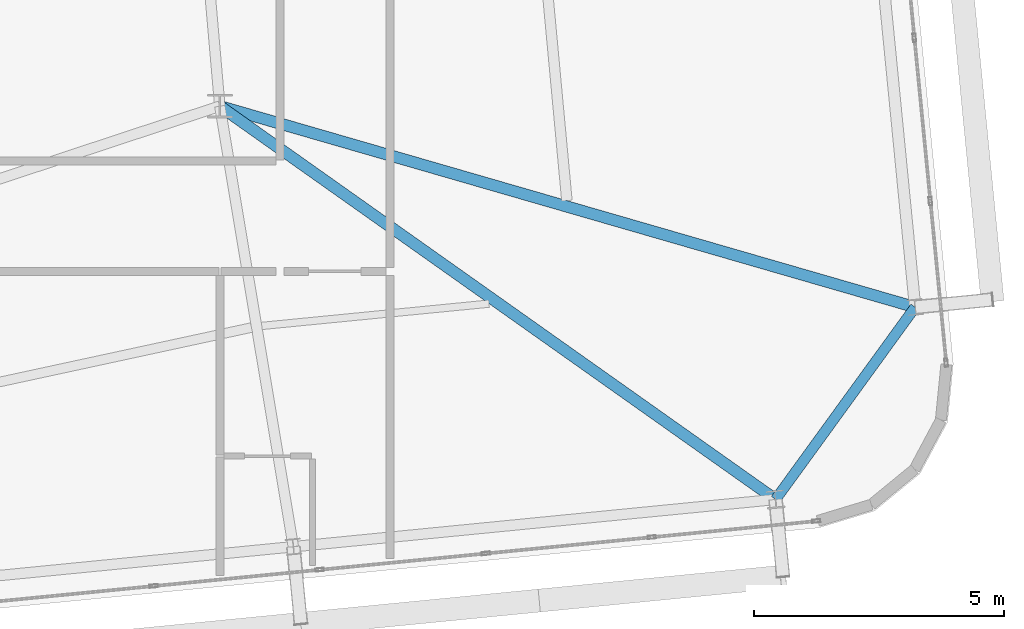
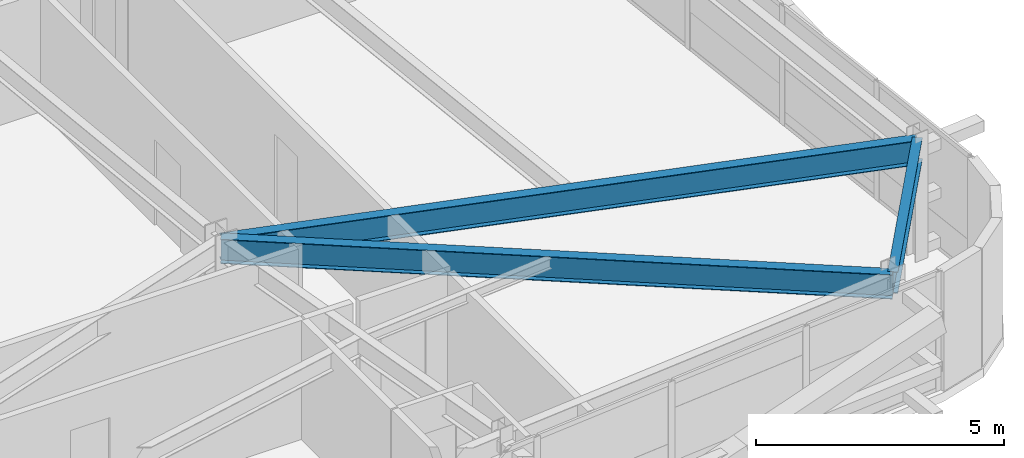
# One storey, part 21 of 53: 3 beams.
"""IFC4 building model written with IfcOpenShell, lengths in metres."""

from ifc_helpers import new_model, si_unit, direction, frame, origin, origin_2d, place, context, subcontext, project, spatial, i_section, extrude, source, transform, mapped, material, material_profile, profile_set, type_object, element, save


model = new_model("IFC4")

# Units and contexts
model_context = context("Model", 3, precision=1e-05, world=origin(), true_north=direction((0.0, 1.0)))
body_context = subcontext(model_context, "Body", "Model", "MODEL_VIEW")
ifc_project = project(units=[si_unit("LENGTHUNIT", "METRE"), si_unit("AREAUNIT", "SQUARE_METRE"), si_unit("VOLUMEUNIT", "CUBIC_METRE"), si_unit("PLANEANGLEUNIT", "RADIAN"), si_unit("MASSUNIT", "GRAM", prefix="KILO")], contexts=[model_context])

# Site, building, storey
site_placement = place(None, origin())
site = spatial("IfcSite", under=ifc_project, at=site_placement, CompositionType="ELEMENT")
building_placement = place(site_placement, origin())
building = spatial("IfcBuilding", under=site, at=building_placement, Name="Taldren Reach Tower", CompositionType="ELEMENT")
storey_placement = place(building_placement, frame((0.0, 0.0, 80.85009765625)))
storey = spatial("IfcBuildingStorey", under=building, at=storey_placement, Name="L24", CompositionType="ELEMENT", Elevation=80.85009765625)

# Beams
ifc_material = material(Name="Steel Gr 350 (350PLUS)", Category="steel")
ifc_material_profile_1 = material_profile(ifc_material, i_section(OverallWidth=0.208984375, OverallDepth=0.528076171875, WebThickness=0.009521484375, FlangeThickness=0.01318359375, at=origin_2d()), Name="530UB82.0")
ifc_profile_set_1 = profile_set([ifc_material_profile_1], Name="Steel Gr 350 (350PLUS)")
beam_type_1 = type_object("IfcBeamType", Name="SP-UB530B", PredefinedType="SPANDREL", material=ifc_profile_set_1)
shared_shape_1 = source(origin(), body_context, "Body", "SweptSolid", [
    extrude(i_section(OverallWidth=0.208984375, OverallDepth=0.528076171875, WebThickness=0.009521484375, FlangeThickness=0.01318359375, at=origin_2d()), origin(), (0.0, 0.0, 1.0), 4.74609375),
])
beam_1_placement = place(storey_placement, frame((63.103271484375, 4.64306640625, 2.666015625), z_axis=(0.58750777154, 0.809218523255, 0.0), x_axis=(-0.809218523255, 0.58750777154, 0.0)))
element("IfcBeam", 1, at=beam_1_placement, inside=storey, type_object=beam_type_1, Name="Perimeter spandrel B2 S6-E1 L24", PredefinedType="SPANDREL", context=body_context, shape_type="MappedRepresentation", body=[
    mapped(shared_shape_1, transform((0.0, 0.0, 0.0), scale=1.0)),
])
ifc_material_profile_2 = material_profile(ifc_material, i_section(OverallWidth=0.22802734375, OverallDepth=0.60205078125, WebThickness=0.010498046875, FlangeThickness=0.014892578125, at=origin_2d()), Name="610UB101")
ifc_profile_set_2 = profile_set([ifc_material_profile_2], Name="Steel Gr 350 (350PLUS)")
beam_type_2 = type_object("IfcBeamType", Name="BM-UB610B", PredefinedType="BEAM", material=ifc_profile_set_2)
shared_shape_2 = source(origin(), body_context, "Body", "SweptSolid", [
    extrude(i_section(OverallWidth=0.22802734375, OverallDepth=0.60205078125, WebThickness=0.010498046875, FlangeThickness=0.014892578125, at=origin_2d()), origin(), (0.0, 0.0, 1.0), 13.60205078125),
])
beam_2_placement = place(storey_placement, frame((52.0, 12.5, 2.62890625), z_axis=(0.816297773281, -0.577631323022, 0.0), x_axis=(0.577631323022, 0.816297773281, 0.0)))
element("IfcBeam", 2, at=beam_2_placement, inside=storey, type_object=beam_type_2, Name="Primary floor girder B2-S6 L24", PredefinedType="BEAM", context=body_context, shape_type="MappedRepresentation", body=[
    mapped(shared_shape_2, transform((0.0, 0.0, 0.0), scale=1.0)),
])
shared_shape_3 = source(origin(), body_context, "Body", "SweptSolid", [
    extrude(i_section(OverallWidth=0.22802734375, OverallDepth=0.60205078125, WebThickness=0.010498046875, FlangeThickness=0.014892578125, at=origin_2d()), origin(), (0.0, 0.0, 1.0), 14.46044921875),
])
beam_3_placement = place(storey_placement, frame((52.0, 12.5, 2.62890625), z_axis=(0.960654638583, -0.277745684698, 0.0), x_axis=(0.277745684698, 0.960654638583, 0.0)))
element("IfcBeam", 3, at=beam_3_placement, inside=storey, type_object=beam_type_2, Name="Primary floor girder B2-E1 L24", PredefinedType="BEAM", context=body_context, shape_type="MappedRepresentation", body=[
    mapped(shared_shape_3, transform((0.0, 0.0, 0.0), scale=1.0)),
])

save(model, "model.ifc")
